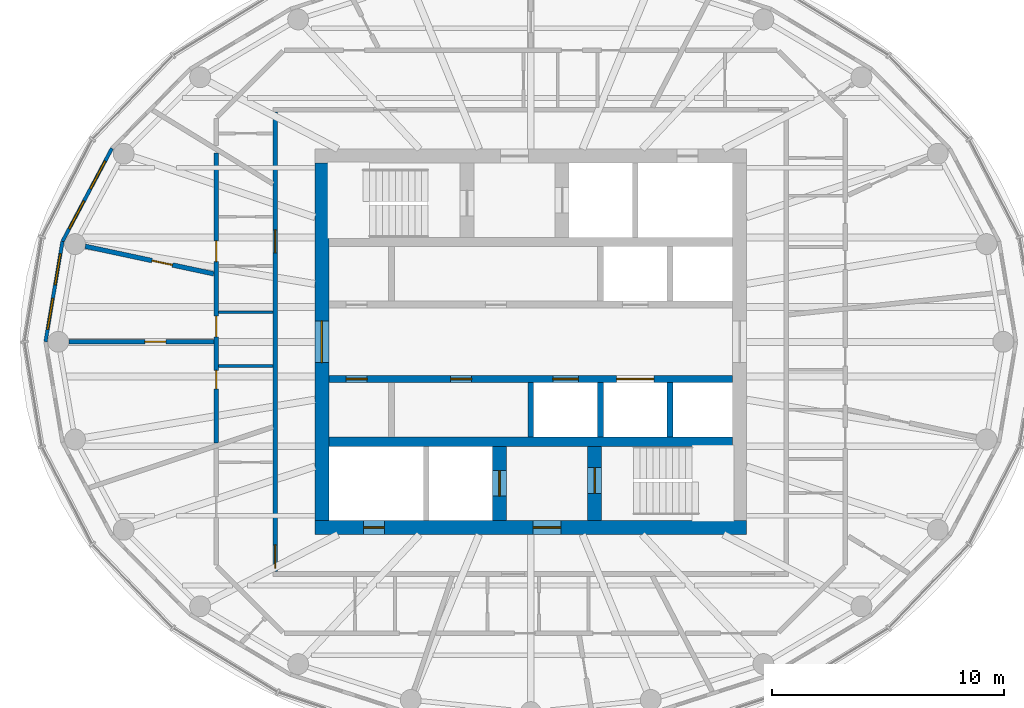
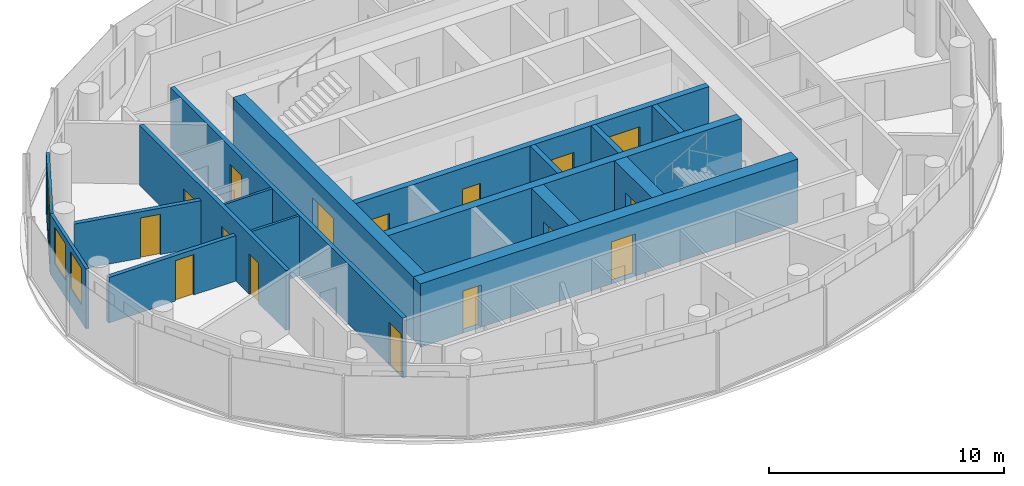
# One storey, part 6 of 11: 17 walls, 16 doors, 4 windows, 20 openings.
"""IFC4 building model written with IfcOpenShell, lengths in metres."""

import ifcopenshell
import ifcopenshell.guid

model = None  # the IFC model being written
_history = None  # IfcOwnerHistory: only IFC2X3 demands one
_inside = {}  # id of a spatial element -> (the spatial element, [elements in it])
_under = {}  # id of a project, library or spatial element -> (it, [spatial elements below it])
_declared = {}  # id of a project -> (the project, [libraries it declares])
_typed = {}  # id of a type object -> (the type object, [elements of that type])
_made_of = {}  # id of a material, layer set ... -> (it, [elements and type objects made of it])


def new_model(schema):
    """Start an empty IFC model of exactly this schema.

    Asked for "IFC4X3", IfcOpenShell would pick the latest addendum, in which some entities
    have other attributes; the version numbers below select the first issue.
    IFC2X3 requires an IfcOwnerHistory on every rooted entity: one is made here for all.
    """
    global model, _history
    if schema == "IFC4X3":
        model = ifcopenshell.file(schema_version=(4, 3, 0, 0))
    else:
        model = ifcopenshell.file(schema=schema)
    _inside.clear()
    _under.clear()
    _declared.clear()
    _typed.clear()
    _made_of.clear()
    _history = None
    if model.schema == "IFC2X3":
        org = make("IfcOrganization", Name="unknown")
        user = make(
            "IfcPersonAndOrganization",
            ThePerson=make("IfcPerson", FamilyName="unknown"),
            TheOrganization=org,
        )
        app = make(
            "IfcApplication",
            ApplicationDeveloper=org,
            Version="unknown",
            ApplicationFullName="unknown",
            ApplicationIdentifier="unknown",
        )
        _history = make(
            "IfcOwnerHistory",
            OwningUser=user,
            OwningApplication=app,
            ChangeAction="ADDED",
            CreationDate=0,
        )
    return model


def make(cls, **values):
    """One entity of the class cls with the attributes given. An attribute that is None is left unset."""
    return model.create_entity(
        cls, **{name: value for name, value in values.items() if value is not None}
    )


def rooted(cls, **values):
    """An entity with a GlobalId (a new one), such as an element, a storey or a relation."""
    return make(cls, GlobalId=ifcopenshell.guid.new(), OwnerHistory=_history, **values)


def si_unit(unit_type, name, prefix=None):
    """IfcSIUnit, for example si_unit("LENGTHUNIT", "METRE", prefix="MILLI")."""
    return make("IfcSIUnit", UnitType=unit_type, Prefix=prefix, Name=name)


def assignment(units):
    """IfcUnitAssignment: the units of a project."""
    return None if units is None else make("IfcUnitAssignment", Units=units)


def point(xyz):
    """IfcCartesianPoint."""
    return None if xyz is None else make("IfcCartesianPoint", Coordinates=xyz)


def direction(xyz):
    """IfcDirection."""
    return None if xyz is None else make("IfcDirection", DirectionRatios=xyz)


def frame(location, z_axis=None, x_axis=None):
    """IfcAxis2Placement3D, a coordinate frame: its origin and axes. An axis left out is left unset."""
    return make(
        "IfcAxis2Placement3D",
        Location=point(location),
        Axis=direction(z_axis),
        RefDirection=direction(x_axis),
    )


def frame_2d(location, x_axis=None):
    """IfcAxis2Placement2D, a coordinate frame in the plane: its origin and x axis."""
    return make(
        "IfcAxis2Placement2D", Location=point(location), RefDirection=direction(x_axis)
    )


def origin():
    """The frame at (0, 0, 0) with its axes left unset."""
    return frame((0.0, 0.0, 0.0))


def place(relative_to, where):
    """IfcLocalPlacement: puts the frame where relative to a parent placement (None: the world)."""
    return make(
        "IfcLocalPlacement", PlacementRelTo=relative_to, RelativePlacement=where
    )


def context(
    kind, dimensions, precision=None, world=None, true_north=None, identifier=None
):
    """IfcGeometricRepresentationContext, for example the 3D "Model" context."""
    return make(
        "IfcGeometricRepresentationContext",
        ContextIdentifier=identifier,
        ContextType=kind,
        CoordinateSpaceDimension=dimensions,
        Precision=precision,
        WorldCoordinateSystem=world,
        TrueNorth=true_north,
    )


def subcontext(parent, identifier, kind, view, scale=None):
    """IfcGeometricRepresentationSubContext, for example "Body" below "Model"."""
    return make(
        "IfcGeometricRepresentationSubContext",
        ContextIdentifier=identifier,
        ContextType=kind,
        ParentContext=parent,
        TargetScale=scale,
        TargetView=view,
    )


def project(units=None, contexts=None):
    """IfcProject with its units and contexts."""
    return rooted(
        "IfcProject",
        Name="project",
        RepresentationContexts=contexts,
        UnitsInContext=assignment(units),
    )


def spatial(cls, under=None, at=None, **own):
    """A site, building, storey or space (cls), placed at a placement, below another one or the project."""
    s = rooted(cls, ObjectPlacement=at, **own)
    if under is not None:
        _under.setdefault(under.id(), (under, []))[1].append(s)
    return s


def profile(cls, at=None, kind="AREA", **sizes):
    """A parametric profile (cls). Its sizes go by their IFC names, for example OverallWidth=200.0."""
    return make(cls, ProfileType=kind, Position=at, **sizes)


def rectangle(**sizes):
    """IfcRectangleProfileDef."""
    return profile("IfcRectangleProfileDef", **sizes)


def extrude(swept, where, along, depth):
    """IfcExtrudedAreaSolid: the profile swept, set in the frame where, extruded along a direction by depth."""
    return make(
        "IfcExtrudedAreaSolid",
        SweptArea=swept,
        Position=where,
        ExtrudedDirection=direction(along),
        Depth=depth,
    )


def shape(context_of_items, identifier, shape_type, items):
    """IfcShapeRepresentation: the items that make up one representation, for example the "Body"."""
    return make(
        "IfcShapeRepresentation",
        ContextOfItems=context_of_items,
        RepresentationIdentifier=identifier,
        RepresentationType=shape_type,
        Items=items,
    )


def material(Name=None, Category=None):
    """IfcMaterial."""
    return make("IfcMaterial", Name=Name, Category=Category)


def layer(
    of_material, thickness, ventilated=None, Name=None, Category=None, Priority=None
):
    """IfcMaterialLayer: one layer of a wall or slab, of a material (None: an air gap)."""
    return make(
        "IfcMaterialLayer",
        Material=of_material,
        LayerThickness=thickness,
        IsVentilated=ventilated,
        Name=Name,
        Category=Category,
        Priority=Priority,
    )


def layer_set(layers, Name=None):
    """IfcMaterialLayerSet."""
    return make("IfcMaterialLayerSet", MaterialLayers=layers, LayerSetName=Name)


def made_of(thing, what):
    """Note that an element or type object is made of a material, layer set ...; save() writes the relation."""
    if what is not None:
        _made_of.setdefault(what.id(), (what, []))[1].append(thing)
    return thing


def type_object(cls, material=None, **own):
    """A type object (cls), such as IfcWallType, which elements share."""
    return made_of(rooted(cls, **own), material)


def element(
    cls,
    number,
    at=None,
    inside=None,
    cuts=None,
    type_object=None,
    material=None,
    context=None,
    identifier="Body",
    shape_type=None,
    held_by="IfcProductDefinitionShape",
    body=None,
    shapes=None,
    **own,
):
    """One element of the class cls, such as IfcWall. Its Tag is "e" and its number.

    at: its placement. inside: the storey or other place that contains it. cuts: it is an
    opening in that element (IfcRelVoidsElement). A single representation is given by context,
    identifier, shape_type and body (its items); several are given by shapes. held_by: the class
    of the entity that holds the representations. save() writes the other relations.
    """
    e = rooted(cls, Tag="e%d" % number, ObjectPlacement=at, **own)
    if body is not None:
        shapes = [shape(context, identifier, shape_type, body)]
    if shapes is not None:
        e.Representation = make(held_by, Representations=shapes)
    if inside is not None:
        _inside.setdefault(inside.id(), (inside, []))[1].append(e)
    if cuts is not None:
        rooted(
            "IfcRelVoidsElement", RelatingBuildingElement=cuts, RelatedOpeningElement=e
        )
    if type_object is not None:
        _typed.setdefault(type_object.id(), (type_object, []))[1].append(e)
    return made_of(e, material)


def fill(opening, filler):
    """IfcRelFillsElement: the door or window that sits in an opening."""
    return rooted(
        "IfcRelFillsElement",
        RelatingOpeningElement=opening,
        RelatedBuildingElement=filler,
    )


def aggregate(whole, parts):
    """IfcRelAggregates: a whole, such as a stair, and the parts it consists of."""
    return rooted("IfcRelAggregates", RelatingObject=whole, RelatedObjects=parts)


def save(model, path):
    """Write the relations noted so far, then the file.

    IfcRelAggregates (storeys below a building ...), IfcRelContainedInSpatialStructure (elements
    in a storey), IfcRelDefinesByType, IfcRelAssociatesMaterial and IfcRelDeclares: one each for
    every whole, place, type object, material and project.
    """
    for whole, parts in _under.values():
        aggregate(whole, parts)
    for where, things in _inside.values():
        rooted(
            "IfcRelContainedInSpatialStructure",
            RelatedElements=things,
            RelatingStructure=where,
        )
    for kind, things in _typed.values():
        rooted("IfcRelDefinesByType", RelatedObjects=things, RelatingType=kind)
    for what, things in _made_of.values():
        rooted("IfcRelAssociatesMaterial", RelatedObjects=things, RelatingMaterial=what)
    for by, libraries in _declared.values():
        rooted("IfcRelDeclares", RelatingContext=by, RelatedDefinitions=libraries)
    model.write(path)


model = new_model("IFC4")

# Units and contexts
model_context = context("Model", 3, precision=1e-05, world=origin(), true_north=direction((0.0, 1.0)))
body_context = subcontext(model_context, "Body", "Model", "MODEL_VIEW")
ifc_project = project(units=[si_unit("LENGTHUNIT", "METRE"), si_unit("AREAUNIT", "SQUARE_METRE"), si_unit("VOLUMEUNIT", "CUBIC_METRE"), si_unit("PLANEANGLEUNIT", "RADIAN"), si_unit("MASSUNIT", "GRAM", prefix="KILO")], contexts=[model_context])

# Site, building, storey
site_placement = place(None, origin())
site = spatial("IfcSite", under=ifc_project, at=site_placement, CompositionType="ELEMENT")
building_placement = place(site_placement, origin())
building = spatial("IfcBuilding", under=site, at=building_placement, Name="Hankou Lantern Tower", CompositionType="ELEMENT")
storey_placement = place(building_placement, frame((0.0, 0.0, 212.699951171875)))
storey = spatial("IfcBuildingStorey", under=building, at=storey_placement, Name="L57", CompositionType="ELEMENT", Elevation=212.699951171875)

# Wall, openings, doors
ifc_material_1 = material(Name="Concrete C60", Category="concrete")
ifc_layer_1 = layer(ifc_material_1, 0.60009765625)
ifc_layer_set_1 = layer_set([ifc_layer_1], Name="Concrete C60")
wall_type_1 = type_object("IfcWallType", Name="CW3 CORE WALL 600", PredefinedType="SHEAR", material=ifc_layer_set_1)
wall_1_placement = place(storey_placement, frame((9.300048828125, -8.0, 0.0), z_axis=(0.0, 0.0, 1.0), x_axis=(-1.0, 0.0, 0.0)))
wall_1 = element("IfcWall", 1, at=wall_1_placement, inside=storey, type_object=wall_type_1, Name="Core wall south L57", PredefinedType="SHEAR", context=body_context, shape_type="SweptSolid", body=[
    extrude(rectangle(XDim=18.60009765625, YDim=0.60009765625, at=frame_2d((9.300048828125, 0.0))), origin(), (0.0, 0.0, 1.0), 3.300048828125),
])
opening_1_placement = place(wall_1_placement, frame((8.0, 0.0, 0.0)))
opening_1 = element("IfcOpeningElement", 2, at=opening_1_placement, cuts=wall_1, Name="Opening D5", PredefinedType="OPENING", context=body_context, shape_type="SweptSolid", body=[
    extrude(rectangle(XDim=1.199951171875, YDim=2.199951171875, at=frame_2d((0.60009765625, 1.10009765625))), frame((0.0, 0.31005859375, 0.0), z_axis=(0.0, -1.0, 0.0), x_axis=(1.0, 0.0, 0.0)), (0.0, 0.0, 1.0), 0.6201171875),
])
opening_2_placement = place(wall_1_placement, frame((15.60009765625, 0.0, 0.0)))
opening_2 = element("IfcOpeningElement", 3, at=opening_2_placement, cuts=wall_1, Name="Opening D7", PredefinedType="OPENING", context=body_context, shape_type="SweptSolid", body=[
    extrude(rectangle(XDim=0.89990234375, YDim=2.199951171875, at=frame_2d((0.449951171875, 1.10009765625))), frame((0.0, 0.31005859375, 0.0), z_axis=(0.0, -1.0, 0.0), x_axis=(1.0, 0.0, 0.0)), (0.0, 0.0, 1.0), 0.6201171875),
])
ifc_material_2 = material(Name="Steel door leaf", Category="steel")
door_type_1 = type_object("IfcDoorType", Name="D5 STAIR LOBBY DOOR 1200X2200", OperationType="SINGLE_SWING_LEFT", PredefinedType="DOOR", material=ifc_material_2)
door_1_placement = place(opening_1_placement, origin())
door_1 = element("IfcDoor", 4, at=door_1_placement, inside=storey, type_object=door_type_1, Name="Stair B lobby door", OperationType="SINGLE_SWING_LEFT", OverallHeight=2.199951171875, OverallWidth=1.199951171875, PredefinedType="DOOR", context=body_context, shape_type="SweptSolid", body=[
    extrude(rectangle(XDim=1.199951171875, YDim=2.199951171875, at=frame_2d((0.60009765625, 1.10009765625))), frame((0.0, 0.02490234375, 0.0), z_axis=(0.0, -1.0, 0.0), x_axis=(1.0, 0.0, 0.0)), (0.0, 0.0, 1.0), 0.050048828125),
])
fill(opening_1, door_1)
ifc_material_3 = material(Name="Steel door leaf", Category="steel")
door_type_2 = type_object("IfcDoorType", Name="D7 RISER DOOR 900X2200", OperationType="SINGLE_SWING_LEFT", PredefinedType="DOOR", material=ifc_material_3)
door_2_placement = place(opening_2_placement, origin())
door_2 = element("IfcDoor", 5, at=door_2_placement, inside=storey, type_object=door_type_2, Name="Riser S1 door", OperationType="SINGLE_SWING_RIGHT", OverallHeight=2.199951171875, OverallWidth=0.89990234375, PredefinedType="DOOR", context=body_context, shape_type="SweptSolid", body=[
    extrude(rectangle(XDim=0.89990234375, YDim=2.199951171875, at=frame_2d((0.449951171875, 1.10009765625))), frame((0.0, 0.02490234375, 0.0), z_axis=(0.0, -1.0, 0.0), x_axis=(1.0, 0.0, 0.0)), (0.0, 0.0, 1.0), 0.050048828125),
])
fill(opening_2, door_2)

# Wall, opening, door
wall_2_placement = place(storey_placement, frame((-9.0, 7.699951171875, 0.0), z_axis=(0.0, 0.0, 1.0), x_axis=(0.0, -1.0, 0.0)))
wall_2 = element("IfcWall", 6, at=wall_2_placement, inside=storey, type_object=wall_type_1, Name="Core wall west L57", PredefinedType="SHEAR", context=body_context, shape_type="SweptSolid", body=[
    extrude(rectangle(XDim=15.39990234375, YDim=0.60009765625, at=frame_2d((7.699951171875, 0.0))), origin(), (0.0, 0.0, 1.0), 3.300048828125),
])
opening_3_placement = place(wall_2_placement, frame((6.800048828125, 0.0, 0.0)))
opening_3 = element("IfcOpeningElement", 7, at=opening_3_placement, cuts=wall_2, Name="Opening D6", PredefinedType="OPENING", context=body_context, shape_type="SweptSolid", body=[
    extrude(rectangle(XDim=1.800048828125, YDim=2.199951171875, at=frame_2d((0.89990234375, 1.10009765625))), frame((0.0, 0.31005859375, 0.0), z_axis=(0.0, -1.0, 0.0), x_axis=(1.0, 0.0, 0.0)), (0.0, 0.0, 1.0), 0.6201171875),
])
ifc_material_4 = material(Name="Steel door leaf", Category="steel")
door_type_3 = type_object("IfcDoorType", Name="D6 LIFT LOBBY DOOR 1800X2200", OperationType="DOUBLE_DOOR_DOUBLE_SWING", PredefinedType="DOOR", material=ifc_material_4)
door_3_placement = place(opening_3_placement, origin())
door_3 = element("IfcDoor", 8, at=door_3_placement, inside=storey, type_object=door_type_3, Name="Lift lobby west door", OperationType="DOUBLE_DOOR_DOUBLE_SWING", OverallHeight=2.199951171875, OverallWidth=1.800048828125, PredefinedType="DOOR", context=body_context, shape_type="SweptSolid", body=[
    extrude(rectangle(XDim=1.800048828125, YDim=2.199951171875, at=frame_2d((0.89990234375, 1.10009765625))), frame((0.0, 0.02490234375, 0.0), z_axis=(0.0, -1.0, 0.0), x_axis=(1.0, 0.0, 0.0)), (0.0, 0.0, 1.0), 0.050048828125),
])
fill(opening_3, door_3)

# Wall
ifc_material_5 = material(Name="Concrete C60", Category="concrete")
ifc_layer_2 = layer(ifc_material_5, 0.39990234375)
ifc_layer_set_2 = layer_set([ifc_layer_2], Name="Concrete C60")
wall_type_2 = type_object("IfcWallType", Name="CW4 CORE CROSS WALL 400", PredefinedType="SHEAR", material=ifc_layer_set_2)
wall_3_placement = place(storey_placement, frame((-8.699951171875, -4.300048828125, 0.0), z_axis=(0.0, 0.0, 1.0), x_axis=(1.0, 0.0, 0.0)))
element("IfcWall", 9, at=wall_3_placement, inside=storey, type_object=wall_type_2, Name="Core band wall south L57", PredefinedType="SHEAR", context=body_context, shape_type="SweptSolid", body=[
    extrude(rectangle(XDim=17.39990234375, YDim=0.39990234375, at=frame_2d((8.699951171875, 0.0))), origin(), (0.0, 0.0, 1.0), 3.300048828125),
])

# Wall, openings, doors
ifc_material_6 = material(Name="Concrete C60", Category="concrete")
ifc_layer_3 = layer(ifc_material_6, 0.300048828125)
ifc_layer_set_3 = layer_set([ifc_layer_3], Name="Concrete C60")
wall_type_3 = type_object("IfcWallType", Name="CW5 LIFT LOBBY WALL 300", PredefinedType="SHEAR", material=ifc_layer_set_3)
wall_4_placement = place(storey_placement, frame((-8.699951171875, -1.60009765625, 0.0), z_axis=(0.0, 0.0, 1.0), x_axis=(1.0, 0.0, 0.0)))
wall_4 = element("IfcWall", 10, at=wall_4_placement, inside=storey, type_object=wall_type_3, Name="Lift lobby wall south L57", PredefinedType="SHEAR", context=body_context, shape_type="SweptSolid", body=[
    extrude(rectangle(XDim=17.39990234375, YDim=0.300048828125, at=frame_2d((8.699951171875, 0.0))), origin(), (0.0, 0.0, 1.0), 3.300048828125),
])
opening_4_placement = place(wall_4_placement, frame((9.64990234375, 0.0, 0.0)))
opening_4 = element("IfcOpeningElement", 11, at=opening_4_placement, cuts=wall_4, Name="Opening LD1", PredefinedType="OPENING", context=body_context, shape_type="SweptSolid", body=[
    extrude(rectangle(XDim=1.10009765625, YDim=2.199951171875, at=frame_2d((0.550048828125, 1.10009765625))), frame((0.0, 0.159912109375, 0.0), z_axis=(0.0, -1.0, 0.0), x_axis=(1.0, 0.0, 0.0)), (0.0, 0.0, 1.0), 0.320068359375),
])
opening_5_placement = place(wall_4_placement, frame((12.39990234375, 0.0, 0.0)))
opening_5 = element("IfcOpeningElement", 12, at=opening_5_placement, cuts=wall_4, Name="Opening LD4", PredefinedType="OPENING", context=body_context, shape_type="SweptSolid", body=[
    extrude(rectangle(XDim=1.60009765625, YDim=2.39990234375, at=frame_2d((0.800048828125, 1.199951171875))), frame((0.0, 0.159912109375, 0.0), z_axis=(0.0, -1.0, 0.0), x_axis=(1.0, 0.0, 0.0)), (0.0, 0.0, 1.0), 0.320068359375),
])
opening_6_placement = place(wall_4_placement, frame((0.75, 0.0, 0.0)))
opening_6 = element("IfcOpeningElement", 13, at=opening_6_placement, cuts=wall_4, Name="Opening D30", PredefinedType="OPENING", context=body_context, shape_type="SweptSolid", body=[
    extrude(rectangle(XDim=0.89990234375, YDim=2.199951171875, at=frame_2d((0.449951171875, 1.10009765625))), frame((0.0, 0.159912109375, 0.0), z_axis=(0.0, -1.0, 0.0), x_axis=(1.0, 0.0, 0.0)), (0.0, 0.0, 1.0), 0.320068359375),
])
opening_7_placement = place(wall_4_placement, frame((5.25, 0.0, 0.0)))
opening_7 = element("IfcOpeningElement", 14, at=opening_7_placement, cuts=wall_4, Name="Opening D30", PredefinedType="OPENING", context=body_context, shape_type="SweptSolid", body=[
    extrude(rectangle(XDim=0.89990234375, YDim=2.199951171875, at=frame_2d((0.449951171875, 1.10009765625))), frame((0.0, 0.159912109375, 0.0), z_axis=(0.0, -1.0, 0.0), x_axis=(1.0, 0.0, 0.0)), (0.0, 0.0, 1.0), 0.320068359375),
])
ifc_material_7 = material(Name="Steel door leaf", Category="steel")
door_type_4 = type_object("IfcDoorType", Name="D30 CORE ROOM DOOR 900X2200", OperationType="SINGLE_SWING_LEFT", PredefinedType="DOOR", material=ifc_material_7)
door_4_placement = place(opening_6_placement, origin())
door_4 = element("IfcDoor", 15, at=door_4_placement, inside=storey, type_object=door_type_4, Name="Minibar store door", OperationType="SINGLE_SWING_LEFT", OverallHeight=2.199951171875, OverallWidth=0.89990234375, PredefinedType="DOOR", context=body_context, shape_type="SweptSolid", body=[
    extrude(rectangle(XDim=0.89990234375, YDim=2.199951171875, at=frame_2d((0.449951171875, 1.10009765625))), frame((0.0, 0.02490234375, 0.0), z_axis=(0.0, -1.0, 0.0), x_axis=(1.0, 0.0, 0.0)), (0.0, 0.0, 1.0), 0.050048828125),
])
fill(opening_6, door_4)
door_5_placement = place(opening_7_placement, origin())
door_5 = element("IfcDoor", 16, at=door_5_placement, inside=storey, type_object=door_type_4, Name="Guest pantry and ice room door", OperationType="SINGLE_SWING_LEFT", OverallHeight=2.199951171875, OverallWidth=0.89990234375, PredefinedType="DOOR", context=body_context, shape_type="SweptSolid", body=[
    extrude(rectangle(XDim=0.89990234375, YDim=2.199951171875, at=frame_2d((0.449951171875, 1.10009765625))), frame((0.0, 0.02490234375, 0.0), z_axis=(0.0, -1.0, 0.0), x_axis=(1.0, 0.0, 0.0)), (0.0, 0.0, 1.0), 0.050048828125),
])
fill(opening_7, door_5)
ifc_material_8 = material(Name="Steel door leaf", Category="steel")
door_type_5 = type_object("IfcDoorType", Name="LD1 LIFT LANDING DOOR 1100X2200", OperationType="DOUBLE_DOOR_SLIDING", PredefinedType="DOOR", material=ifc_material_8)
door_6_placement = place(opening_4_placement, origin())
door_6 = element("IfcDoor", 17, at=door_6_placement, inside=storey, type_object=door_type_5, Name="Lift T2 landing door", OperationType="DOUBLE_DOOR_SLIDING", OverallHeight=2.199951171875, OverallWidth=1.10009765625, PredefinedType="DOOR", context=body_context, shape_type="SweptSolid", body=[
    extrude(rectangle(XDim=1.10009765625, YDim=2.199951171875, at=frame_2d((0.550048828125, 1.10009765625))), frame((0.0, 0.02490234375, 0.0), z_axis=(0.0, -1.0, 0.0), x_axis=(1.0, 0.0, 0.0)), (0.0, 0.0, 1.0), 0.050048828125),
])
fill(opening_4, door_6)
ifc_material_9 = material(Name="Steel door leaf", Category="steel")
door_type_6 = type_object("IfcDoorType", Name="LD4 SERVICE LIFT LANDING DOOR 1600X2400", OperationType="DOUBLE_DOOR_SLIDING", PredefinedType="DOOR", material=ifc_material_9)
door_7_placement = place(opening_5_placement, origin())
door_7 = element("IfcDoor", 18, at=door_7_placement, inside=storey, type_object=door_type_6, Name="Lift SV1 landing door", OperationType="DOUBLE_DOOR_SLIDING", OverallHeight=2.39990234375, OverallWidth=1.60009765625, PredefinedType="DOOR", context=body_context, shape_type="SweptSolid", body=[
    extrude(rectangle(XDim=1.60009765625, YDim=2.39990234375, at=frame_2d((0.800048828125, 1.199951171875))), frame((0.0, 0.02490234375, 0.0), z_axis=(0.0, -1.0, 0.0), x_axis=(1.0, 0.0, 0.0)), (0.0, 0.0, 1.0), 0.050048828125),
])
fill(opening_5, door_7)

# Wall, opening, door
ifc_material_10 = material(Name="Concrete C60", Category="concrete")
ifc_layer_4 = layer(ifc_material_10, 0.60009765625)
ifc_layer_set_4 = layer_set([ifc_layer_4], Name="Concrete C60")
wall_type_4 = type_object("IfcWallType", Name="CW6 STAIR AND SHAFT WALL 600", PredefinedType="SHEAR", material=ifc_layer_set_4)
wall_5_placement = place(storey_placement, frame((2.75, -7.699951171875, 0.0), z_axis=(0.0, 0.0, 1.0), x_axis=(0.0, 1.0, 0.0)))
wall_5 = element("IfcWall", 19, at=wall_5_placement, inside=storey, type_object=wall_type_4, Name="Stair wall L57", PredefinedType="SHEAR", context=body_context, shape_type="SweptSolid", body=[
    extrude(rectangle(XDim=3.199951171875, YDim=0.60009765625, at=frame_2d((1.60009765625, 0.0))), origin(), (0.0, 0.0, 1.0), 3.300048828125),
])
opening_8_placement = place(wall_5_placement, frame((1.175048828125, 0.0, 0.0)))
opening_8 = element("IfcOpeningElement", 20, at=opening_8_placement, cuts=wall_5, Name="Opening D4", PredefinedType="OPENING", context=body_context, shape_type="SweptSolid", body=[
    extrude(rectangle(XDim=1.10009765625, YDim=2.199951171875, at=frame_2d((0.550048828125, 1.10009765625))), frame((0.0, 0.31005859375, 0.0), z_axis=(0.0, -1.0, 0.0), x_axis=(1.0, 0.0, 0.0)), (0.0, 0.0, 1.0), 0.6201171875),
])
ifc_material_11 = material(Name="Steel door leaf", Category="steel")
door_type_7 = type_object("IfcDoorType", Name="D4 STAIR DOOR 1100X2200", OperationType="SINGLE_SWING_LEFT", PredefinedType="DOOR", material=ifc_material_11)
door_8_placement = place(opening_8_placement, origin())
door_8 = element("IfcDoor", 21, at=door_8_placement, inside=storey, type_object=door_type_7, Name="Stair B door", OperationType="SINGLE_SWING_RIGHT", OverallHeight=2.199951171875, OverallWidth=1.10009765625, PredefinedType="DOOR", context=body_context, shape_type="SweptSolid", body=[
    extrude(rectangle(XDim=1.10009765625, YDim=2.199951171875, at=frame_2d((0.550048828125, 1.10009765625))), frame((0.0, 0.02490234375, 0.0), z_axis=(0.0, -1.0, 0.0), x_axis=(1.0, 0.0, 0.0)), (0.0, 0.0, 1.0), 0.050048828125),
])
fill(opening_8, door_8)

wall_6_placement = place(storey_placement, frame((-1.35009765625, -7.699951171875, 0.0), z_axis=(0.0, 0.0, 1.0), x_axis=(0.0, 1.0, 0.0)))
wall_6 = element("IfcWall", 22, at=wall_6_placement, inside=storey, type_object=wall_type_4, Name="Firefighting lift shaft wall L57", PredefinedType="SHEAR", context=body_context, shape_type="SweptSolid", body=[
    extrude(rectangle(XDim=3.199951171875, YDim=0.60009765625, at=frame_2d((1.60009765625, 0.0))), origin(), (0.0, 0.0, 1.0), 3.300048828125),
])
opening_9_placement = place(wall_6_placement, frame((1.050048828125, 0.0, 0.0)))
opening_9 = element("IfcOpeningElement", 23, at=opening_9_placement, cuts=wall_6, Name="Opening LD2", PredefinedType="OPENING", context=body_context, shape_type="SweptSolid", body=[
    extrude(rectangle(XDim=1.10009765625, YDim=2.199951171875, at=frame_2d((0.550048828125, 1.10009765625))), frame((0.0, 0.31005859375, 0.0), z_axis=(0.0, -1.0, 0.0), x_axis=(1.0, 0.0, 0.0)), (0.0, 0.0, 1.0), 0.6201171875),
])
ifc_material_12 = material(Name="Steel door leaf", Category="steel")
door_type_8 = type_object("IfcDoorType", Name="LD2 FIREFIGHTING LIFT LANDING DOOR 1100X2200", OperationType="DOUBLE_DOOR_SLIDING", PredefinedType="DOOR", material=ifc_material_12)
door_9_placement = place(opening_9_placement, origin())
door_9 = element("IfcDoor", 24, at=door_9_placement, inside=storey, type_object=door_type_8, Name="Firefighting lift FL2 landing door", OperationType="DOUBLE_DOOR_SLIDING", OverallHeight=2.199951171875, OverallWidth=1.10009765625, PredefinedType="DOOR", context=body_context, shape_type="SweptSolid", body=[
    extrude(rectangle(XDim=1.10009765625, YDim=2.199951171875, at=frame_2d((0.550048828125, 1.10009765625))), frame((0.0, 0.02490234375, 0.0), z_axis=(0.0, -1.0, 0.0), x_axis=(1.0, 0.0, 0.0)), (0.0, 0.0, 1.0), 0.050048828125),
])
fill(opening_9, door_9)

# Wall, openings, windows
ifc_material_13 = material(Name="Aluminium spandrel panel on steel studs", Category="steel")
ifc_layer_5 = layer(ifc_material_13, 0.14990234375)
ifc_layer_set_5 = layer_set([ifc_layer_5], Name="Aluminium spandrel panel on steel studs")
wall_type_5 = type_object("IfcWallType", Name="EW1 INNER SKIN WALL 150", PredefinedType="ELEMENTEDWALL", material=ifc_layer_set_5)
wall_7_placement = place(storey_placement, frame((-18.03955078125, 8.33203125, 0.0), z_axis=(0.0, 0.0, 1.0), x_axis=(-0.469256152955, -0.883062094597, 0.0)))
wall_7 = element("IfcWall", 25, at=wall_7_placement, inside=storey, type_object=wall_type_5, Name="Inner skin R11-R12 L57", PredefinedType="ELEMENTEDWALL", context=body_context, shape_type="SweptSolid", body=[
    extrude(rectangle(XDim=4.539306640625, YDim=0.14990234375, at=frame_2d((2.26953125, 0.0))), origin(), (0.0, 0.0, 1.0), 3.1201171875),
])
opening_10_placement = place(wall_7_placement, frame((0.61962890625, 0.0, 0.89990234375)))
opening_10 = element("IfcOpeningElement", 26, at=opening_10_placement, cuts=wall_7, Name="Opening W4", PredefinedType="OPENING", context=body_context, shape_type="SweptSolid", body=[
    extrude(rectangle(XDim=1.35009765625, YDim=1.89990234375, at=frame_2d((0.675048828125, 0.949951171875))), frame((0.0, 0.0849609375, 0.0), z_axis=(0.0, -1.0, 0.0), x_axis=(1.0, 0.0, 0.0)), (0.0, 0.0, 1.0), 0.169921875),
])
opening_11_placement = place(wall_7_placement, frame((2.569580078125, 0.0, 0.89990234375)))
opening_11 = element("IfcOpeningElement", 27, at=opening_11_placement, cuts=wall_7, Name="Opening W4", PredefinedType="OPENING", context=body_context, shape_type="SweptSolid", body=[
    extrude(rectangle(XDim=1.35009765625, YDim=1.89990234375, at=frame_2d((0.675048828125, 0.949951171875))), frame((0.0, 0.0849609375, 0.0), z_axis=(0.0, -1.0, 0.0), x_axis=(1.0, 0.0, 0.0)), (0.0, 0.0, 1.0), 0.169921875),
])
ifc_material_14 = material(Name="Aluminium framed double glazed window", Category="aluminium")
window_type = type_object("IfcWindowType", Name="W4 SUITE WINDOW 1350X1900", PartitioningType="DOUBLE_PANEL_VERTICAL", PredefinedType="WINDOW", material=ifc_material_14)
window_1_placement = place(opening_10_placement, origin())
window_1 = element("IfcWindow", 28, at=window_1_placement, inside=storey, type_object=window_type, Name="Window R11.1 L57", OverallHeight=1.89990234375, OverallWidth=1.35009765625, PartitioningType="SINGLE_PANEL", PredefinedType="WINDOW", context=body_context, shape_type="SweptSolid", body=[
    extrude(rectangle(XDim=1.35009765625, YDim=1.89990234375, at=frame_2d((0.675048828125, 0.949951171875))), frame((0.0, 0.030029296875, 0.0), z_axis=(0.0, -1.0, 0.0), x_axis=(1.0, 0.0, 0.0)), (0.0, 0.0, 1.0), 0.06005859375),
])
fill(opening_10, window_1)
window_2_placement = place(opening_11_placement, origin())
window_2 = element("IfcWindow", 29, at=window_2_placement, inside=storey, type_object=window_type, Name="Window R11.2 L57", OverallHeight=1.89990234375, OverallWidth=1.35009765625, PartitioningType="SINGLE_PANEL", PredefinedType="WINDOW", context=body_context, shape_type="SweptSolid", body=[
    extrude(rectangle(XDim=1.35009765625, YDim=1.89990234375, at=frame_2d((0.675048828125, 0.949951171875))), frame((0.0, 0.030029296875, 0.0), z_axis=(0.0, -1.0, 0.0), x_axis=(1.0, 0.0, 0.0)), (0.0, 0.0, 1.0), 0.06005859375),
])
fill(opening_11, window_2)

wall_8_placement = place(storey_placement, frame((-20.169677734375, 4.323486328125, 0.0), z_axis=(0.0, 0.0, 1.0), x_axis=(-0.166538513568, -0.986034950445, 0.0)))
wall_8 = element("IfcWall", 30, at=wall_8_placement, inside=storey, type_object=wall_type_5, Name="Inner skin R12-R13 L57", PredefinedType="ELEMENTEDWALL", context=body_context, shape_type="SweptSolid", body=[
    extrude(rectangle(XDim=4.384765625, YDim=0.14990234375, at=frame_2d((2.1923828125, 0.0))), origin(), (0.0, 0.0, 1.0), 3.1201171875),
])
opening_12_placement = place(wall_8_placement, frame((0.54248046875, 0.0, 0.89990234375)))
opening_12 = element("IfcOpeningElement", 31, at=opening_12_placement, cuts=wall_8, Name="Opening W4", PredefinedType="OPENING", context=body_context, shape_type="SweptSolid", body=[
    extrude(rectangle(XDim=1.35009765625, YDim=1.89990234375, at=frame_2d((0.675048828125, 0.949951171875))), frame((0.0, 0.0849609375, 0.0), z_axis=(0.0, -1.0, 0.0), x_axis=(1.0, 0.0, 0.0)), (0.0, 0.0, 1.0), 0.169921875),
])
opening_13_placement = place(wall_8_placement, frame((2.492431640625, 0.0, 0.89990234375)))
opening_13 = element("IfcOpeningElement", 32, at=opening_13_placement, cuts=wall_8, Name="Opening W4", PredefinedType="OPENING", context=body_context, shape_type="SweptSolid", body=[
    extrude(rectangle(XDim=1.35009765625, YDim=1.89990234375, at=frame_2d((0.675048828125, 0.949951171875))), frame((0.0, 0.0849609375, 0.0), z_axis=(0.0, -1.0, 0.0), x_axis=(1.0, 0.0, 0.0)), (0.0, 0.0, 1.0), 0.169921875),
])
window_3_placement = place(opening_12_placement, origin())
window_3 = element("IfcWindow", 33, at=window_3_placement, inside=storey, type_object=window_type, Name="Window R12.1 L57", OverallHeight=1.89990234375, OverallWidth=1.35009765625, PartitioningType="SINGLE_PANEL", PredefinedType="WINDOW", context=body_context, shape_type="SweptSolid", body=[
    extrude(rectangle(XDim=1.35009765625, YDim=1.89990234375, at=frame_2d((0.675048828125, 0.949951171875))), frame((0.0, 0.030029296875, 0.0), z_axis=(0.0, -1.0, 0.0), x_axis=(1.0, 0.0, 0.0)), (0.0, 0.0, 1.0), 0.06005859375),
])
fill(opening_12, window_3)
window_4_placement = place(opening_13_placement, origin())
window_4 = element("IfcWindow", 34, at=window_4_placement, inside=storey, type_object=window_type, Name="Window R12.2 L57", OverallHeight=1.89990234375, OverallWidth=1.35009765625, PartitioningType="SINGLE_PANEL", PredefinedType="WINDOW", context=body_context, shape_type="SweptSolid", body=[
    extrude(rectangle(XDim=1.35009765625, YDim=1.89990234375, at=frame_2d((0.675048828125, 0.949951171875))), frame((0.0, 0.030029296875, 0.0), z_axis=(0.0, -1.0, 0.0), x_axis=(1.0, 0.0, 0.0)), (0.0, 0.0, 1.0), 0.06005859375),
])
fill(opening_13, window_4)

# Wall, openings, doors
ifc_material_15 = material(Name="Masonry lightweight concrete block", Category="masonry")
ifc_layer_6 = layer(ifc_material_15, 0.199951171875)
ifc_layer_set_6 = layer_set([ifc_layer_6], Name="Masonry lightweight concrete block")
wall_type_6 = type_object("IfcWallType", Name="IW2 CORRIDOR WALL 200", PredefinedType="PARTITIONING", material=ifc_layer_set_6)
wall_9_placement = place(storey_placement, frame((-11.0, 9.89990234375, 0.0), z_axis=(0.0, 0.0, 1.0), x_axis=(0.0, -1.0, 0.0)))
wall_9 = element("IfcWall", 35, at=wall_9_placement, inside=storey, type_object=wall_type_6, Name="Corridor wall west", PredefinedType="PARTITIONING", context=body_context, shape_type="SweptSolid", body=[
    extrude(rectangle(XDim=19.7998046875, YDim=0.199951171875, at=frame_2d((9.89990234375, 0.0))), origin(), (0.0, 0.0, 1.0), 3.1201171875),
])
opening_14_placement = place(wall_9_placement, frame((5.07470703125, 0.0, 0.0)))
opening_14 = element("IfcOpeningElement", 36, at=opening_14_placement, cuts=wall_9, Name="Opening D2", PredefinedType="OPENING", context=body_context, shape_type="SweptSolid", body=[
    extrude(rectangle(XDim=1.0, YDim=2.199951171875, at=frame_2d((0.5, 1.10009765625))), frame((0.0, 0.10986328125, 0.0), z_axis=(0.0, -1.0, 0.0), x_axis=(1.0, 0.0, 0.0)), (0.0, 0.0, 1.0), 0.219970703125),
])
opening_15_placement = place(wall_9_placement, frame((18.645263671875, 0.0, 0.0)))
opening_15 = element("IfcOpeningElement", 37, at=opening_15_placement, cuts=wall_9, Name="Opening D2", PredefinedType="OPENING", context=body_context, shape_type="SweptSolid", body=[
    extrude(rectangle(XDim=1.0, YDim=2.199951171875, at=frame_2d((0.5, 1.10009765625))), frame((0.0, 0.10986328125, 0.0), z_axis=(0.0, -1.0, 0.0), x_axis=(1.0, 0.0, 0.0)), (0.0, 0.0, 1.0), 0.219970703125),
])
ifc_material_16 = material(Name="Steel door leaf", Category="steel")
door_type_9 = type_object("IfcDoorType", Name="D2 SUITE DOOR 1000X2200", OperationType="SINGLE_SWING_LEFT", PredefinedType="DOOR", material=ifc_material_16)
door_10_placement = place(opening_14_placement, origin())
door_10 = element("IfcDoor", 38, at=door_10_placement, inside=storey, type_object=door_type_9, Name="Suite door 5703", OperationType="SINGLE_SWING_LEFT", OverallHeight=2.199951171875, OverallWidth=1.0, PredefinedType="DOOR", context=body_context, shape_type="SweptSolid", body=[
    extrude(rectangle(XDim=1.0, YDim=2.199951171875, at=frame_2d((0.5, 1.10009765625))), frame((0.0, 0.02490234375, 0.0), z_axis=(0.0, -1.0, 0.0), x_axis=(1.0, 0.0, 0.0)), (0.0, 0.0, 1.0), 0.050048828125),
])
fill(opening_14, door_10)
door_11_placement = place(opening_15_placement, origin())
door_11 = element("IfcDoor", 39, at=door_11_placement, inside=storey, type_object=door_type_9, Name="Suite door 5704", OperationType="SINGLE_SWING_RIGHT", OverallHeight=2.199951171875, OverallWidth=1.0, PredefinedType="DOOR", context=body_context, shape_type="SweptSolid", body=[
    extrude(rectangle(XDim=1.0, YDim=2.199951171875, at=frame_2d((0.5, 1.10009765625))), frame((0.0, 0.02490234375, 0.0), z_axis=(0.0, -1.0, 0.0), x_axis=(1.0, 0.0, 0.0)), (0.0, 0.0, 1.0), 0.050048828125),
])
fill(opening_15, door_11)

# Walls
ifc_material_17 = material(Name="Masonry lightweight concrete block", Category="masonry")
ifc_layer_7 = layer(ifc_material_17, 0.1201171875)
ifc_layer_set_7 = layer_set([ifc_layer_7], Name="Masonry lightweight concrete block")
wall_type_7 = type_object("IfcWallType", Name="IW3 BATHROOM WALL 120", PredefinedType="PARTITIONING", material=ifc_layer_set_7)
for number, where, z_axis, x_axis, name in (
    (40, (-11.10009765625, 1.268798828125, 0.0), (0.0, 0.0, 1.0), (-1.0, 0.0, 0.0), "Box wall 5703 3"),
    (41, (-11.10009765625, -1.048828125, 0.0), (0.0, 0.0, 1.0), (-1.0, 0.0, 0.0), "Box wall 5703 4"),
):
    element("IfcWall", number, at=place(storey_placement, frame(where, z_axis=z_axis, x_axis=x_axis)), inside=storey, type_object=wall_type_7, Name=name, PredefinedType="PARTITIONING", context=body_context, shape_type="SweptSolid", body=[
        extrude(rectangle(XDim=2.349853515625, YDim=0.1201171875, at=frame_2d((1.1748046875, 0.0))), origin(), (0.0, 0.0, 1.0), 3.1201171875),
    ])

# Wall, openings, doors
ifc_material_18 = material(Name="Masonry lightweight concrete block", Category="masonry")
ifc_layer_8 = layer(ifc_material_18, 0.199951171875)
ifc_layer_set_8 = layer_set([ifc_layer_8], Name="Masonry lightweight concrete block")
wall_type_8 = type_object("IfcWallType", Name="IW6 SUITE PARTITION 200", PredefinedType="PARTITIONING", material=ifc_layer_set_8)
wall_10_placement = place(storey_placement, frame((-13.550048828125, 8.13916015625, 0.0), z_axis=(0.0, 0.0, 1.0), x_axis=(0.0, -1.0, 0.0)))
wall_10 = element("IfcWall", 42, at=wall_10_placement, inside=storey, type_object=wall_type_8, Name="Suite foyer wall 5703", PredefinedType="PARTITIONING", context=body_context, shape_type="SweptSolid", body=[
    extrude(rectangle(XDim=12.496337890625, YDim=0.199951171875, at=frame_2d((6.248046875, 0.0))), origin(), (0.0, 0.0, 1.0), 3.1201171875),
])
opening_16_placement = place(wall_10_placement, frame((7.030517578125, 0.0, 0.0)))
opening_16 = element("IfcOpeningElement", 43, at=opening_16_placement, cuts=wall_10, Name="Opening D27", PredefinedType="OPENING", context=body_context, shape_type="SweptSolid", body=[
    extrude(rectangle(XDim=0.89990234375, YDim=2.10009765625, at=frame_2d((0.449951171875, 1.050048828125))), frame((0.0, 0.10986328125, 0.0), z_axis=(0.0, -1.0, 0.0), x_axis=(1.0, 0.0, 0.0)), (0.0, 0.0, 1.0), 0.219970703125),
])
opening_17_placement = place(wall_10_placement, frame((9.372802734375, 0.0, 0.0)))
opening_17 = element("IfcOpeningElement", 44, at=opening_17_placement, cuts=wall_10, Name="Opening D3", PredefinedType="OPENING", context=body_context, shape_type="SweptSolid", body=[
    extrude(rectangle(XDim=0.800048828125, YDim=2.10009765625, at=frame_2d((0.39990234375, 1.050048828125))), frame((0.0, 0.10986328125, 0.0), z_axis=(0.0, -1.0, 0.0), x_axis=(1.0, 0.0, 0.0)), (0.0, 0.0, 1.0), 0.219970703125),
])
opening_18_placement = place(wall_10_placement, frame((3.788818359375, 0.0, 0.0)))
opening_18 = element("IfcOpeningElement", 45, at=opening_18_placement, cuts=wall_10, Name="Opening D27", PredefinedType="OPENING", context=body_context, shape_type="SweptSolid", body=[
    extrude(rectangle(XDim=0.89990234375, YDim=2.10009765625, at=frame_2d((0.449951171875, 1.050048828125))), frame((0.0, 0.10986328125, 0.0), z_axis=(0.0, -1.0, 0.0), x_axis=(1.0, 0.0, 0.0)), (0.0, 0.0, 1.0), 0.219970703125),
])
ifc_material_19 = material(Name="Timber door leaf", Category="wood")
door_type_10 = type_object("IfcDoorType", Name="D27 INTERNAL DOOR 900X2100", OperationType="SINGLE_SWING_LEFT", PredefinedType="DOOR", material=ifc_material_19)
door_12_placement = place(opening_16_placement, origin())
door_12 = element("IfcDoor", 46, at=door_12_placement, inside=storey, type_object=door_type_10, Name="Corner suite 5703 pantry door", OperationType="SINGLE_SWING_LEFT", OverallHeight=2.10009765625, OverallWidth=0.89990234375, PredefinedType="DOOR", context=body_context, shape_type="SweptSolid", body=[
    extrude(rectangle(XDim=0.89990234375, YDim=2.10009765625, at=frame_2d((0.449951171875, 1.050048828125))), frame((0.0, 0.02490234375, 0.0), z_axis=(0.0, -1.0, 0.0), x_axis=(1.0, 0.0, 0.0)), (0.0, 0.0, 1.0), 0.050048828125),
])
fill(opening_16, door_12)
door_13_placement = place(opening_18_placement, origin())
door_13 = element("IfcDoor", 47, at=door_13_placement, inside=storey, type_object=door_type_10, Name="Corner suite 5703 living room door", OperationType="SINGLE_SWING_RIGHT", OverallHeight=2.10009765625, OverallWidth=0.89990234375, PredefinedType="DOOR", context=body_context, shape_type="SweptSolid", body=[
    extrude(rectangle(XDim=0.89990234375, YDim=2.10009765625, at=frame_2d((0.449951171875, 1.050048828125))), frame((0.0, 0.02490234375, 0.0), z_axis=(0.0, -1.0, 0.0), x_axis=(1.0, 0.0, 0.0)), (0.0, 0.0, 1.0), 0.050048828125),
])
fill(opening_18, door_13)
ifc_material_20 = material(Name="Timber door leaf", Category="wood")
door_type_11 = type_object("IfcDoorType", Name="D3 BATHROOM DOOR 800X2100", OperationType="SINGLE_SWING_LEFT", PredefinedType="DOOR", material=ifc_material_20)
door_14_placement = place(opening_17_placement, origin())
door_14 = element("IfcDoor", 48, at=door_14_placement, inside=storey, type_object=door_type_11, Name="Corner suite 5703 bathroom door", OperationType="SINGLE_SWING_LEFT", OverallHeight=2.10009765625, OverallWidth=0.800048828125, PredefinedType="DOOR", context=body_context, shape_type="SweptSolid", body=[
    extrude(rectangle(XDim=0.800048828125, YDim=2.10009765625, at=frame_2d((0.39990234375, 1.050048828125))), frame((0.0, 0.02490234375, 0.0), z_axis=(0.0, -1.0, 0.0), x_axis=(1.0, 0.0, 0.0)), (0.0, 0.0, 1.0), 0.050048828125),
])
fill(opening_17, door_14)

# Wall, opening, door
wall_11_placement = place(storey_placement, frame((-13.65478515625, 2.927001953125, 0.0), z_axis=(0.0, 0.0, 1.0), x_axis=(-0.977790419294, 0.209585056568, 0.0)))
wall_11 = element("IfcWall", 49, at=wall_11_placement, inside=storey, type_object=wall_type_8, Name="Suite partition R12", PredefinedType="PARTITIONING", context=body_context, shape_type="SweptSolid", body=[
    extrude(rectangle(XDim=5.66015625, YDim=0.199951171875, at=frame_2d((2.830078125, 0.0))), origin(), (0.0, 0.0, 1.0), 2.420166015625),
])
opening_19_placement = place(wall_11_placement, frame((1.820068359375, 0.0, 0.0)))
opening_19 = element("IfcOpeningElement", 50, at=opening_19_placement, cuts=wall_11, Name="Opening D27", PredefinedType="OPENING", context=body_context, shape_type="SweptSolid", body=[
    extrude(rectangle(XDim=0.89990234375, YDim=2.10009765625, at=frame_2d((0.449951171875, 1.050048828125))), frame((0.0, 0.10986328125, 0.0), z_axis=(0.0, -1.0, 0.0), x_axis=(1.0, 0.0, 0.0)), (0.0, 0.0, 1.0), 0.219970703125),
])
door_15_placement = place(opening_19_placement, origin())
door_15 = element("IfcDoor", 51, at=door_15_placement, inside=storey, type_object=door_type_10, Name="Corner suite 5703 dining room door", OperationType="SINGLE_SWING_LEFT", OverallHeight=2.10009765625, OverallWidth=0.89990234375, PredefinedType="DOOR", context=body_context, shape_type="SweptSolid", body=[
    extrude(rectangle(XDim=0.89990234375, YDim=2.10009765625, at=frame_2d((0.449951171875, 1.050048828125))), frame((0.0, 0.02490234375, 0.0), z_axis=(0.0, -1.0, 0.0), x_axis=(1.0, 0.0, 0.0)), (0.0, 0.0, 1.0), 0.050048828125),
])
fill(opening_19, door_15)

wall_12_placement = place(storey_placement, frame((-13.64990234375, 0.0, 0.0), z_axis=(0.0, 0.0, 1.0), x_axis=(-1.0, 0.0, 0.0)))
wall_12 = element("IfcWall", 52, at=wall_12_placement, inside=storey, type_object=wall_type_8, Name="Suite partition R13", PredefinedType="PARTITIONING", context=body_context, shape_type="SweptSolid", body=[
    extrude(rectangle(XDim=6.25, YDim=0.199951171875, at=frame_2d((3.125, 0.0))), origin(), (0.0, 0.0, 1.0), 2.3701171875),
])
opening_20_placement = place(wall_12_placement, frame((2.070068359375, 0.0, 0.0)))
opening_20 = element("IfcOpeningElement", 53, at=opening_20_placement, cuts=wall_12, Name="Opening D27", PredefinedType="OPENING", context=body_context, shape_type="SweptSolid", body=[
    extrude(rectangle(XDim=0.89990234375, YDim=2.10009765625, at=frame_2d((0.449951171875, 1.050048828125))), frame((0.0, 0.10986328125, 0.0), z_axis=(0.0, -1.0, 0.0), x_axis=(1.0, 0.0, 0.0)), (0.0, 0.0, 1.0), 0.219970703125),
])
door_16_placement = place(opening_20_placement, origin())
door_16 = element("IfcDoor", 54, at=door_16_placement, inside=storey, type_object=door_type_10, Name="Corner suite 5703 bedroom door", OperationType="SINGLE_SWING_LEFT", OverallHeight=2.10009765625, OverallWidth=0.89990234375, PredefinedType="DOOR", context=body_context, shape_type="SweptSolid", body=[
    extrude(rectangle(XDim=0.89990234375, YDim=2.10009765625, at=frame_2d((0.449951171875, 1.050048828125))), frame((0.0, 0.02490234375, 0.0), z_axis=(0.0, -1.0, 0.0), x_axis=(1.0, 0.0, 0.0)), (0.0, 0.0, 1.0), 0.050048828125),
])
fill(opening_20, door_16)

# Walls
ifc_material_21 = material(Name="Masonry autoclaved aerated concrete block", Category="masonry")
ifc_layer_9 = layer(ifc_material_21, 0.25)
ifc_layer_set_9 = layer_set([ifc_layer_9], Name="Masonry autoclaved aerated concrete block")
wall_type_9 = type_object("IfcWallType", Name="SW1 SHAFT BLOCK WALL 250", PredefinedType="PARTITIONING", material=ifc_layer_set_9)
for number, where, z_axis, x_axis, name in (
    (55, (0.0, -4.10009765625, 0.0), (0.0, 0.0, 1.0), (0.0, 1.0, 0.0), "Lift shaft wall L57"),
    (56, (3.0, -4.10009765625, 0.0), (0.0, 0.0, 1.0), (0.0, 1.0, 0.0), "Lift shaft wall L57"),
    (57, (6.0, -4.10009765625, 0.0), (0.0, 0.0, 1.0), (0.0, 1.0, 0.0), "Lift shaft wall L57"),
):
    element("IfcWall", number, at=place(storey_placement, frame(where, z_axis=z_axis, x_axis=x_axis)), inside=storey, type_object=wall_type_9, Name=name, PredefinedType="PARTITIONING", context=body_context, shape_type="SweptSolid", body=[
        extrude(rectangle(XDim=2.35009765625, YDim=0.25, at=frame_2d((1.175048828125, 0.0))), origin(), (0.0, 0.0, 1.0), 3.300048828125),
    ])

save(model, "model.ifc")
